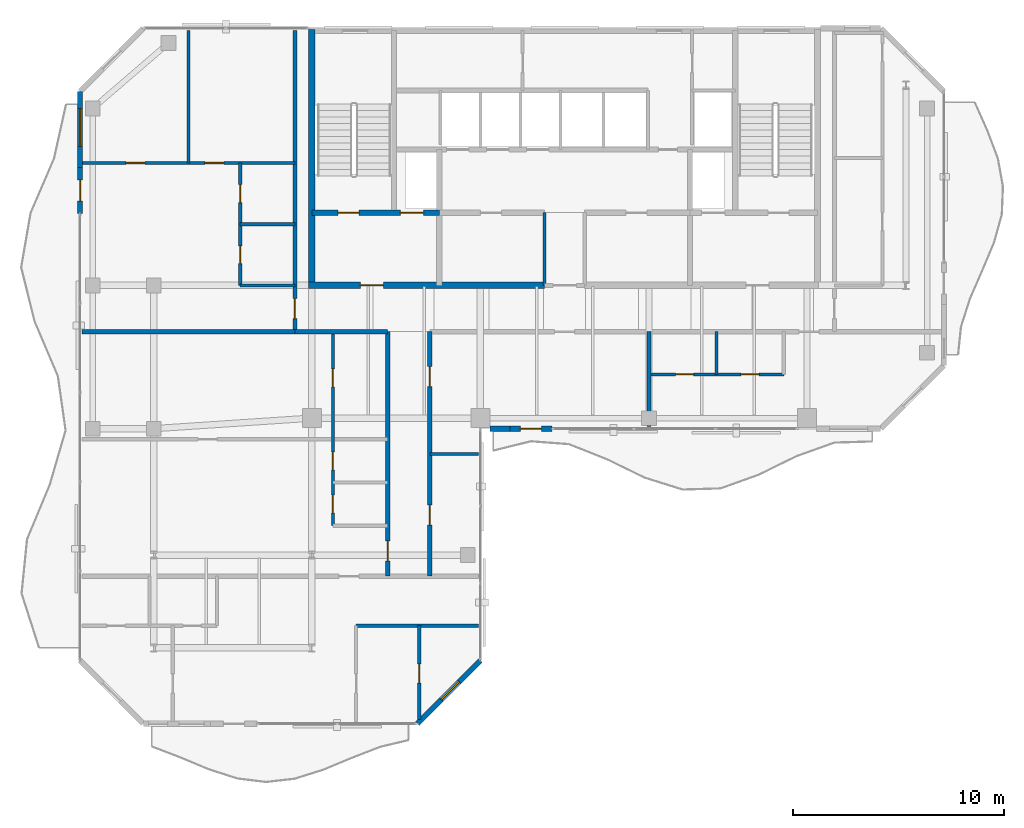
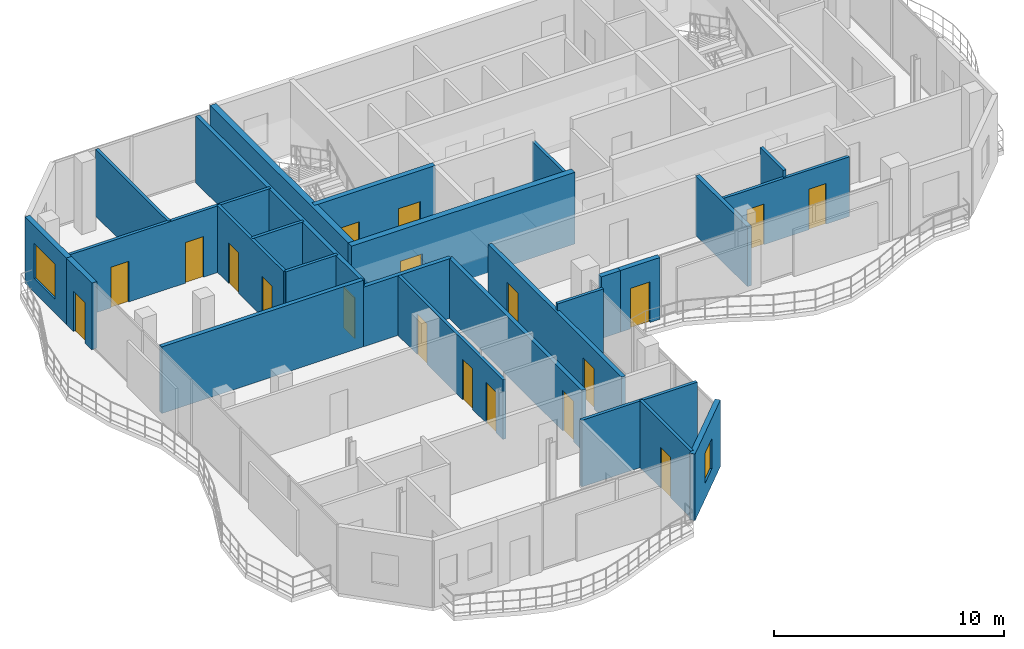
# One storey, part 18 of 22: 26 walls, 19 doors, 2 windows, 21 openings.
"""IFC4 building model written with IfcOpenShell, lengths in metres."""

from ifc_helpers import new_model, si_unit, direction, frame, frame_2d, origin, place, context, subcontext, project, spatial, rectangle, extrude, material, layer, layer_set, type_object, element, fill, save


model = new_model("IFC4")

# Units and contexts
model_context = context("Model", 3, precision=1e-05, world=origin(), true_north=direction((0.0, 1.0)))
body_context = subcontext(model_context, "Body", "Model", "MODEL_VIEW")
ifc_project = project(units=[si_unit("LENGTHUNIT", "METRE"), si_unit("AREAUNIT", "SQUARE_METRE"), si_unit("VOLUMEUNIT", "CUBIC_METRE"), si_unit("PLANEANGLEUNIT", "RADIAN"), si_unit("MASSUNIT", "GRAM", prefix="KILO")], contexts=[model_context])

# Site, building, storey
site_placement = place(None, origin())
site = spatial("IfcSite", under=ifc_project, at=site_placement, CompositionType="ELEMENT")
building_placement = place(site_placement, origin())
building = spatial("IfcBuilding", under=site, at=building_placement, Name="Catumbela Crestline Tower", CompositionType="ELEMENT")
storey_placement = place(building_placement, frame((0.0, 0.0, 260.2)))
storey = spatial("IfcBuildingStorey", under=building, at=storey_placement, Name="L67", CompositionType="ELEMENT", Elevation=260.2)

# Wall, openings, doors
ifc_material_1 = material(Name="Concrete C50/60", Category="concrete")
ifc_layer_1 = layer(ifc_material_1, 0.25, Name="Concrete C50/60")
ifc_layer_set_1 = layer_set([ifc_layer_1], Name="Concrete C50/60")
wall_type_1 = type_object("IfcWallType", Name="CW-250D", PredefinedType="SHEAR", material=ifc_layer_set_1)
wall_1_placement = place(storey_placement, frame((16.0, 34.25, 0.0), z_axis=(0.0, 0.0, 1.0), x_axis=(1.0, 0.0, 0.0)))
wall_1 = element("IfcWall", 1, at=wall_1_placement, inside=storey, type_object=wall_type_1, Name="L67 Structural Core Shear Wall ST1S", PredefinedType="SHEAR", context=body_context, shape_type="SweptSolid", body=[
    extrude(rectangle(XDim=6.05, YDim=0.25, at=frame_2d((3.025, 0.0))), origin(), (0.0, 0.0, 1.0), 3.8),
])
opening_1_placement = place(wall_1_placement, frame((1.25, 0.0, 0.0)))
opening_1 = element("IfcOpeningElement", 2, at=opening_1_placement, cuts=wall_1, Name="Opening DF9-100", PredefinedType="OPENING", context=body_context, shape_type="SweptSolid", body=[
    extrude(rectangle(XDim=1.0, YDim=2.15, at=frame_2d((0.5, 1.075))), frame((0.0, 0.135, 0.0), z_axis=(0.0, -1.0, 0.0), x_axis=(1.0, 0.0, 0.0)), (0.0, 0.0, 1.0), 0.27),
])
opening_2_placement = place(wall_1_placement, frame((4.2, 0.0, 0.0)))
opening_2 = element("IfcOpeningElement", 3, at=opening_2_placement, cuts=wall_1, Name="Opening LD-110", PredefinedType="OPENING", context=body_context, shape_type="SweptSolid", body=[
    extrude(rectangle(XDim=1.1, YDim=2.15, at=frame_2d((0.55, 1.075))), frame((0.0, 0.135, 0.0), z_axis=(0.0, -1.0, 0.0), x_axis=(1.0, 0.0, 0.0)), (0.0, 0.0, 1.0), 0.27),
])
ifc_material_2 = material(Name="Stainless steel EN 1.4401", Category="steel")
door_type_1 = type_object("IfcDoorType", Name="DF9-100", OperationType="NOTDEFINED", PredefinedType="DOOR", material=ifc_material_2)
door_1_placement = place(opening_1_placement, origin())
door_1 = element("IfcDoor", 4, at=door_1_placement, inside=storey, type_object=door_type_1, Name="L67 Interior Door DR-L67-ST01", OperationType="SINGLE_SWING_LEFT", OverallHeight=2.15, OverallWidth=1.0, PredefinedType="DOOR", context=body_context, shape_type="SweptSolid", body=[
    extrude(rectangle(XDim=1.0, YDim=2.15, at=frame_2d((0.5, 1.075))), frame((0.0, 0.025, 0.0), z_axis=(0.0, -1.0, 0.0), x_axis=(1.0, 0.0, 0.0)), (0.0, 0.0, 1.0), 0.05),
])
fill(opening_1, door_1)
door_type_2 = type_object("IfcDoorType", Name="LD-110", OperationType="NOTDEFINED", PredefinedType="DOOR", material=ifc_material_2)
door_2_placement = place(opening_2_placement, origin())
door_2 = element("IfcDoor", 5, at=door_2_placement, inside=storey, type_object=door_type_2, Name="L67 Lift Landing Sliding Door FL-01", OperationType="DOUBLE_DOOR_SLIDING", OverallHeight=2.15, OverallWidth=1.1, PredefinedType="DOOR", context=body_context, shape_type="SweptSolid", body=[
    extrude(rectangle(XDim=1.1, YDim=2.15, at=frame_2d((0.55, 1.075))), frame((0.0, 0.025, 0.0), z_axis=(0.0, -1.0, 0.0), x_axis=(1.0, 0.0, 0.0)), (0.0, 0.0, 1.0), 0.05),
])
fill(opening_2, door_2)

# Wall
ifc_material_3 = material(Name="Concrete C45/55", Category="concrete")
ifc_layer_2 = layer(ifc_material_3, 0.3, Name="Concrete C45/55")
ifc_layer_set_2 = layer_set([ifc_layer_2], Name="Concrete C45/55")
wall_type_2 = type_object("IfcWallType", Name="CW-300C", PredefinedType="SHEAR", material=ifc_layer_set_2)
wall_2_placement = place(storey_placement, frame((16.0, 30.65, 0.0), z_axis=(0.0, 0.0, 1.0), x_axis=(0.0, 1.0, 0.0)))
element("IfcWall", 6, at=wall_2_placement, inside=storey, type_object=wall_type_2, Name="L67 Structural Core Shear Wall W", PredefinedType="SHEAR", context=body_context, shape_type="SweptSolid", body=[
    extrude(rectangle(XDim=12.3, YDim=0.3, at=frame_2d((6.15, 0.0))), origin(), (0.0, 0.0, 1.0), 3.8),
])

# Wall, opening, door
wall_3_placement = place(storey_placement, frame((15.85, 30.8, 0.0), z_axis=(0.0, 0.0, 1.0), x_axis=(1.0, 0.0, 0.0)))
wall_3 = element("IfcWall", 7, at=wall_3_placement, inside=storey, type_object=wall_type_2, Name="L67 Structural Core Shear Wall SW", PredefinedType="SHEAR", context=body_context, shape_type="SweptSolid", body=[
    extrude(rectangle(XDim=11.2, YDim=0.3, at=frame_2d((5.6, 0.0))), origin(), (0.0, 0.0, 1.0), 3.8),
])
opening_3_placement = place(wall_3_placement, frame((2.45, 0.0, 0.0)))
opening_3 = element("IfcOpeningElement", 8, at=opening_3_placement, cuts=wall_3, Name="Opening DF9-110", PredefinedType="OPENING", context=body_context, shape_type="SweptSolid", body=[
    extrude(rectangle(XDim=1.1, YDim=2.15, at=frame_2d((0.55, 1.075))), frame((0.0, 0.16, 0.0), z_axis=(0.0, -1.0, 0.0), x_axis=(1.0, 0.0, 0.0)), (0.0, 0.0, 1.0), 0.32),
])
door_type_3 = type_object("IfcDoorType", Name="DF9-110", OperationType="NOTDEFINED", PredefinedType="DOOR", material=ifc_material_2)
door_3_placement = place(opening_3_placement, origin())
door_3 = element("IfcDoor", 9, at=door_3_placement, inside=storey, type_object=door_type_3, Name="L67 Interior Door DR-L67-FFW-S", OperationType="SINGLE_SWING_LEFT", OverallHeight=2.15, OverallWidth=1.1, PredefinedType="DOOR", context=body_context, shape_type="SweptSolid", body=[
    extrude(rectangle(XDim=1.1, YDim=2.15, at=frame_2d((0.55, 1.075))), frame((0.0, 0.025, 0.0), z_axis=(0.0, -1.0, 0.0), x_axis=(1.0, 0.0, 0.0)), (0.0, 0.0, 1.0), 0.05),
])
fill(opening_3, door_3)

# Wall
ifc_material_4 = material(Name="Acoustic gypsum and mineral-wool partition")
ifc_layer_3 = layer(ifc_material_4, 0.2, Name="Acoustic gypsum and mineral-wool partition")
ifc_layer_set_3 = layer_set([ifc_layer_3], Name="Acoustic gypsum and mineral-wool partition")
wall_type_3 = type_object("IfcWallType", Name="WC-200", PredefinedType="PARTITIONING", material=ifc_layer_set_3)
wall_4_placement = place(storey_placement, frame((15.2, 28.6, 0.0), z_axis=(0.0, 0.0, 1.0), x_axis=(1.0, 0.0, 0.0)))
element("IfcWall", 10, at=wall_4_placement, inside=storey, type_object=wall_type_3, Name="L67 Interior Partition PW-L67-RCWL", PredefinedType="PARTITIONING", context=body_context, shape_type="SweptSolid", body=[
    extrude(rectangle(XDim=4.4, YDim=0.2, at=frame_2d((2.2, 0.0))), origin(), (0.0, 0.0, 1.0), 3.16),
])

# Wall, opening, door
wall_5_placement = place(storey_placement, frame((15.2, 28.6, 0.0), z_axis=(0.0, 0.0, 1.0), x_axis=(0.0, 1.0, 0.0)))
wall_5 = element("IfcWall", 11, at=wall_5_placement, inside=storey, type_object=wall_type_3, Name="L67 Interior Partition PW-L67-NW1-ENT", PredefinedType="PARTITIONING", context=body_context, shape_type="SweptSolid", body=[
    extrude(rectangle(XDim=14.3, YDim=0.2, at=frame_2d((7.15, 0.0))), origin(), (0.0, 0.0, 1.0), 3.53),
])
opening_4_placement = place(wall_5_placement, frame((0.625, 0.0, 0.0)))
opening_4 = element("IfcOpeningElement", 12, at=opening_4_placement, cuts=wall_5, Name="Opening DF6-095", PredefinedType="OPENING", context=body_context, shape_type="SweptSolid", body=[
    extrude(rectangle(XDim=0.95, YDim=2.15, at=frame_2d((0.475, 1.075))), frame((0.0, 0.11, 0.0), z_axis=(0.0, -1.0, 0.0), x_axis=(1.0, 0.0, 0.0)), (0.0, 0.0, 1.0), 0.22),
])
ifc_material_5 = material(Name="Aluminium alloy AW-6060-T66", Category="aluminium")
door_type_4 = type_object("IfcDoorType", Name="DF6-095", OperationType="NOTDEFINED", PredefinedType="DOOR", material=ifc_material_5)
door_4_placement = place(opening_4_placement, origin())
door_4 = element("IfcDoor", 13, at=door_4_placement, inside=storey, type_object=door_type_4, Name="L67 Interior Door DR-L67-NW1-ENT", OperationType="SINGLE_SWING_LEFT", OverallHeight=2.15, OverallWidth=0.95, PredefinedType="DOOR", context=body_context, shape_type="SweptSolid", body=[
    extrude(rectangle(XDim=0.95, YDim=2.15, at=frame_2d((0.475, 1.075))), frame((0.0, 0.025, 0.0), z_axis=(0.0, -1.0, 0.0), x_axis=(1.0, 0.0, 0.0)), (0.0, 0.0, 1.0), 0.05),
])
fill(opening_4, door_4)

wall_6_placement = place(storey_placement, frame((19.6, 17.0, 0.0), z_axis=(0.0, 0.0, 1.0), x_axis=(0.0, 1.0, 0.0)))
wall_6 = element("IfcWall", 14, at=wall_6_placement, inside=storey, type_object=wall_type_3, Name="L67 Interior Partition PW-L67-WL1-ENT", PredefinedType="PARTITIONING", context=body_context, shape_type="SweptSolid", body=[
    extrude(rectangle(XDim=11.6, YDim=0.2, at=frame_2d((5.8, 0.0))), origin(), (0.0, 0.0, 1.0), 3.16),
])
opening_5_placement = place(wall_6_placement, frame((0.723, 0.0, 0.0)))
opening_5 = element("IfcOpeningElement", 15, at=opening_5_placement, cuts=wall_6, Name="Opening DF6-095", PredefinedType="OPENING", context=body_context, shape_type="SweptSolid", body=[
    extrude(rectangle(XDim=0.95, YDim=2.15, at=frame_2d((0.475, 1.075))), frame((0.0, 0.11, 0.0), z_axis=(0.0, -1.0, 0.0), x_axis=(1.0, 0.0, 0.0)), (0.0, 0.0, 1.0), 0.22),
])
door_5_placement = place(opening_5_placement, origin())
door_5 = element("IfcDoor", 16, at=door_5_placement, inside=storey, type_object=door_type_4, Name="L67 Interior Door DR-L67-WL1-ENT", OperationType="SINGLE_SWING_LEFT", OverallHeight=2.15, OverallWidth=0.95, PredefinedType="DOOR", context=body_context, shape_type="SweptSolid", body=[
    extrude(rectangle(XDim=0.95, YDim=2.15, at=frame_2d((0.475, 1.075))), frame((0.0, 0.025, 0.0), z_axis=(0.0, -1.0, 0.0), x_axis=(1.0, 0.0, 0.0)), (0.0, 0.0, 1.0), 0.05),
])
fill(opening_5, door_5)

# Wall, openings, doors
wall_7_placement = place(storey_placement, frame((21.6, 17.0, 0.0), z_axis=(0.0, 0.0, 1.0), x_axis=(0.0, 1.0, 0.0)))
wall_7 = element("IfcWall", 17, at=wall_7_placement, inside=storey, type_object=wall_type_3, Name="L67 Interior Partition PW-L67-RWMT-ENT", PredefinedType="PARTITIONING", context=body_context, shape_type="SweptSolid", body=[
    extrude(rectangle(XDim=11.6, YDim=0.2, at=frame_2d((5.8, 0.0))), origin(), (0.0, 0.0, 1.0), 3.16),
])
opening_6_placement = place(wall_7_placement, frame((8.9941, 0.0, 0.0)))
opening_6 = element("IfcOpeningElement", 18, at=opening_6_placement, cuts=wall_7, Name="Opening DF6-095", PredefinedType="OPENING", context=body_context, shape_type="SweptSolid", body=[
    extrude(rectangle(XDim=0.95, YDim=2.15, at=frame_2d((0.475, 1.075))), frame((0.0, 0.11, 0.0), z_axis=(0.0, -1.0, 0.0), x_axis=(1.0, 0.0, 0.0)), (0.0, 0.0, 1.0), 0.22),
])
opening_7_placement = place(wall_7_placement, frame((2.425, 0.0, 0.0)))
opening_7 = element("IfcOpeningElement", 19, at=opening_7_placement, cuts=wall_7, Name="Opening DF6-095", PredefinedType="OPENING", context=body_context, shape_type="SweptSolid", body=[
    extrude(rectangle(XDim=0.95, YDim=2.15, at=frame_2d((0.475, 1.075))), frame((0.0, 0.11, 0.0), z_axis=(0.0, -1.0, 0.0), x_axis=(1.0, 0.0, 0.0)), (0.0, 0.0, 1.0), 0.22),
])
door_6_placement = place(opening_6_placement, origin())
door_6 = element("IfcDoor", 20, at=door_6_placement, inside=storey, type_object=door_type_4, Name="L67 Interior Door DR-L67-RWMT-ENT", OperationType="SINGLE_SWING_LEFT", OverallHeight=2.15, OverallWidth=0.95, PredefinedType="DOOR", context=body_context, shape_type="SweptSolid", body=[
    extrude(rectangle(XDim=0.95, YDim=2.15, at=frame_2d((0.475, 1.075))), frame((0.0, 0.025, 0.0), z_axis=(0.0, -1.0, 0.0), x_axis=(1.0, 0.0, 0.0)), (0.0, 0.0, 1.0), 0.05),
])
fill(opening_6, door_6)
door_7_placement = place(opening_7_placement, origin())
door_7 = element("IfcDoor", 21, at=door_7_placement, inside=storey, type_object=door_type_4, Name="L67 Interior Door DR-L67-RWLN-ENT", OperationType="SINGLE_SWING_RIGHT", OverallHeight=2.15, OverallWidth=0.95, PredefinedType="DOOR", context=body_context, shape_type="SweptSolid", body=[
    extrude(rectangle(XDim=0.95, YDim=2.15, at=frame_2d((0.475, 1.075))), frame((0.0, 0.025, 0.0), z_axis=(0.0, -1.0, 0.0), x_axis=(1.0, 0.0, 0.0)), (0.0, 0.0, 1.0), 0.05),
])
fill(opening_7, door_7)

# Wall, opening, window
ifc_material_6 = material(Name="Angolan grey-ochre granite", Category="masonry")
ifc_layer_4 = layer(ifc_material_6, 0.25, Name="Angolan grey-ochre granite")
ifc_layer_set_4 = layer_set([ifc_layer_4], Name="Angolan grey-ochre granite")
wall_type_4 = type_object("IfcWallType", Name="WE-250", PredefinedType="STANDARD", material=ifc_layer_set_4)
wall_8_placement = place(storey_placement, frame((21.0, 10.0, 0.0), z_axis=(0.0, 0.0, 1.0), x_axis=(0.707106781187, 0.707106781187, 0.0)))
wall_8 = element("IfcWall", 22, at=wall_8_placement, inside=storey, type_object=wall_type_4, Name="L67 Granite Punched Window Wall 1-1", PredefinedType="STANDARD", context=body_context, shape_type="SweptSolid", body=[
    extrude(rectangle(XDim=4.2426, YDim=0.25, at=frame_2d((2.1213, 0.0))), origin(), (0.0, 0.0, 1.0), 3.53),
])
opening_8_placement = place(wall_8_placement, frame((1.6173, 0.0, 0.85)))
opening_8 = element("IfcOpeningElement", 23, at=opening_8_placement, cuts=wall_8, Name="Opening WN-02", PredefinedType="OPENING", context=body_context, shape_type="SweptSolid", body=[
    extrude(rectangle(XDim=1.2, YDim=1.6, at=frame_2d((0.6, 0.8))), frame((0.0, 0.135, 0.0), z_axis=(0.0, -1.0, 0.0), x_axis=(1.0, 0.0, 0.0)), (0.0, 0.0, 1.0), 0.27),
])
ifc_material_7 = material(Name="Low-E laminated solar-control double glazing", Category="glass")
window_type_1 = type_object("IfcWindowType", Name="WO-1200", PartitioningType="SINGLE_PANEL", PredefinedType="WINDOW", material=ifc_material_7)
window_1_placement = place(opening_8_placement, origin())
window_1 = element("IfcWindow", 24, at=window_1_placement, inside=storey, type_object=window_type_1, Name="L67 Facade Vision Window 520", OverallHeight=1.6, OverallWidth=1.2, PartitioningType="SINGLE_PANEL", PredefinedType="WINDOW", context=body_context, shape_type="SweptSolid", body=[
    extrude(rectangle(XDim=1.2, YDim=1.6, at=frame_2d((0.6, 0.8))), frame((0.0, 0.03, 0.0), z_axis=(0.0, -1.0, 0.0), x_axis=(1.0, 0.0, 0.0)), (0.0, 0.0, 1.0), 0.06),
])
fill(opening_8, window_1)

# Wall, opening, door
wall_9_placement = place(storey_placement, frame((25.4, 24.0, 0.0), z_axis=(0.0, 0.0, 1.0), x_axis=(1.0, 0.0, 0.0)))
wall_9 = element("IfcWall", 25, at=wall_9_placement, inside=storey, type_object=wall_type_4, Name="L67 Exterior Threshold Portal Wall DR-L67-WBAL-1", PredefinedType="STANDARD", context=body_context, shape_type="SweptSolid", body=[
    extrude(rectangle(XDim=2.0, YDim=0.25, at=frame_2d((1.0, 0.0))), origin(), (0.0, 0.0, 1.0), 3.27),
])
opening_9_placement = place(wall_9_placement, frame((0.5, 0.0, 0.0)))
opening_9 = element("IfcOpeningElement", 26, at=opening_9_placement, cuts=wall_9, Name="Opening DB-L67-1", PredefinedType="OPENING", context=body_context, shape_type="SweptSolid", body=[
    extrude(rectangle(XDim=1.0, YDim=2.15, at=frame_2d((0.5, 1.075))), frame((0.0, 0.135, 0.0), z_axis=(0.0, -1.0, 0.0), x_axis=(1.0, 0.0, 0.0)), (0.0, 0.0, 1.0), 0.27),
])
door_type_5 = type_object("IfcDoorType", Name="DB-1000", OperationType="NOTDEFINED", PredefinedType="DOOR", material=ifc_material_5)
door_8_placement = place(opening_9_placement, origin())
door_8 = element("IfcDoor", 27, at=door_8_placement, inside=storey, type_object=door_type_5, Name="L67 Wave Balcony Terrace Door 1", OperationType="SINGLE_SWING_LEFT", OverallHeight=2.15, OverallWidth=1.0, PredefinedType="DOOR", context=body_context, shape_type="SweptSolid", body=[
    extrude(rectangle(XDim=1.0, YDim=2.15, at=frame_2d((0.5, 1.075))), frame((0.0, 0.025, 0.0), z_axis=(0.0, -1.0, 0.0), x_axis=(1.0, 0.0, 0.0)), (0.0, 0.0, 1.0), 0.05),
])
fill(opening_9, door_8)

# Wall
wall_10_placement = place(storey_placement, frame((24.45, 24.0, 0.0), z_axis=(0.0, 0.0, 1.0), x_axis=(1.0, 0.0, 0.0)))
element("IfcWall", 28, at=wall_10_placement, inside=storey, type_object=wall_type_4, Name="L67 Granite Punched Window Wall 3-1", PredefinedType="STANDARD", context=body_context, shape_type="SweptSolid", body=[
    extrude(rectangle(XDim=0.95, YDim=0.25, at=frame_2d((0.475, 0.0))), origin(), (0.0, 0.0, 1.0), 3.27),
])

# Wall, opening, door
wall_11_placement = place(storey_placement, frame((5.0, 36.4, 0.0), z_axis=(0.0, 0.0, 1.0), x_axis=(0.0, -1.0, 0.0)))
wall_11 = element("IfcWall", 29, at=wall_11_placement, inside=storey, type_object=wall_type_4, Name="L67 Exterior Threshold Portal Wall DR-L67-WBAL-4", PredefinedType="STANDARD", context=body_context, shape_type="SweptSolid", body=[
    extrude(rectangle(XDim=2.2, YDim=0.25, at=frame_2d((1.1, 0.0))), origin(), (0.0, 0.0, 1.0), 3.53),
])
opening_10_placement = place(wall_11_placement, frame((0.6, 0.0, 0.0)))
opening_10 = element("IfcOpeningElement", 30, at=opening_10_placement, cuts=wall_11, Name="Opening DB-L67-4", PredefinedType="OPENING", context=body_context, shape_type="SweptSolid", body=[
    extrude(rectangle(XDim=1.0, YDim=2.15, at=frame_2d((0.5, 1.075))), frame((0.0, 0.135, 0.0), z_axis=(0.0, -1.0, 0.0), x_axis=(1.0, 0.0, 0.0)), (0.0, 0.0, 1.0), 0.27),
])
door_9_placement = place(opening_10_placement, origin())
door_9 = element("IfcDoor", 31, at=door_9_placement, inside=storey, type_object=door_type_5, Name="L67 Wave Balcony Terrace Door 4", OperationType="SINGLE_SWING_RIGHT", OverallHeight=2.15, OverallWidth=1.0, PredefinedType="DOOR", context=body_context, shape_type="SweptSolid", body=[
    extrude(rectangle(XDim=1.0, YDim=2.15, at=frame_2d((0.5, 1.075))), frame((0.0, 0.025, 0.0), z_axis=(0.0, -1.0, 0.0), x_axis=(1.0, 0.0, 0.0)), (0.0, 0.0, 1.0), 0.05),
])
fill(opening_10, door_9)

# Wall, opening, window
wall_12_placement = place(storey_placement, frame((5.0, 40.0, 0.0), z_axis=(0.0, 0.0, 1.0), x_axis=(0.0, -1.0, 0.0)))
wall_12 = element("IfcWall", 32, at=wall_12_placement, inside=storey, type_object=wall_type_4, Name="L67 Granite Punched Window Wall 9-1", PredefinedType="STANDARD", context=body_context, shape_type="SweptSolid", body=[
    extrude(rectangle(XDim=3.6, YDim=0.25, at=frame_2d((1.8, 0.0))), origin(), (0.0, 0.0, 1.0), 3.53),
])
opening_11_placement = place(wall_12_placement, frame((0.806, 0.0, 0.75)))
opening_11 = element("IfcOpeningElement", 33, at=opening_11_placement, cuts=wall_12, Name="Opening WN-01", PredefinedType="OPENING", context=body_context, shape_type="SweptSolid", body=[
    extrude(rectangle(XDim=1.8, YDim=1.85, at=frame_2d((0.9, 0.925))), frame((0.0, 0.135, 0.0), z_axis=(0.0, -1.0, 0.0), x_axis=(1.0, 0.0, 0.0)), (0.0, 0.0, 1.0), 0.27),
])
window_type_2 = type_object("IfcWindowType", Name="WF-1800", PartitioningType="SINGLE_PANEL", PredefinedType="WINDOW", material=ifc_material_7)
window_2_placement = place(opening_11_placement, origin())
window_2 = element("IfcWindow", 34, at=window_2_placement, inside=storey, type_object=window_type_2, Name="L67 Facade Vision Window 527", OverallHeight=1.85, OverallWidth=1.8, PartitioningType="SINGLE_PANEL", PredefinedType="WINDOW", context=body_context, shape_type="SweptSolid", body=[
    extrude(rectangle(XDim=1.8, YDim=1.85, at=frame_2d((0.9, 0.925))), frame((0.0, 0.03, 0.0), z_axis=(0.0, -1.0, 0.0), x_axis=(1.0, 0.0, 0.0)), (0.0, 0.0, 1.0), 0.06),
])
fill(opening_11, window_2)

# Walls
ifc_layer_5 = layer(ifc_material_4, 0.15, Name="Acoustic gypsum and mineral-wool partition")
ifc_layer_set_5 = layer_set([ifc_layer_5], Name="Acoustic gypsum and mineral-wool partition")
wall_type_5 = type_object("IfcWallType", Name="WP-150", PredefinedType="PARTITIONING", material=ifc_layer_set_5)
for number, where, z_axis, x_axis, name in (
    (35, (12.6, 30.8, 0.0), (0.0, 0.0, 1.0), (1.0, 0.0, 0.0), "L67 Interior Partition PW-L67-NW1-KBS"),
    (36, (12.6, 33.704, 0.0), (0.0, 0.0, 1.0), (1.0, 0.0, 0.0), "L67 Interior Partition PW-L67-NW1-KBM"),
):
    element("IfcWall", number, at=place(storey_placement, frame(where, z_axis=z_axis, x_axis=x_axis)), inside=storey, type_object=wall_type_5, Name=name, PredefinedType="PARTITIONING", context=body_context, shape_type="SweptSolid", body=[
        extrude(rectangle(XDim=2.6, YDim=0.15, at=frame_2d((1.3, 0.0))), origin(), (0.0, 0.0, 1.0), 3.53),
    ])

# Wall, openings, doors
wall_13_placement = place(storey_placement, frame((5.1, 36.608, 0.0), z_axis=(0.0, 0.0, 1.0), x_axis=(1.0, 0.0, 0.0)))
wall_13 = element("IfcWall", 37, at=wall_13_placement, inside=storey, type_object=wall_type_5, Name="L67 Interior Partition PW-L67-NW1-KBN", PredefinedType="PARTITIONING", context=body_context, shape_type="SweptSolid", body=[
    extrude(rectangle(XDim=10.1, YDim=0.15, at=frame_2d((5.05, 0.0))), origin(), (0.0, 0.0, 1.0), 3.53),
])
opening_12_placement = place(wall_13_placement, frame((2.075, 0.0, 0.0)))
opening_12 = element("IfcOpeningElement", 38, at=opening_12_placement, cuts=wall_13, Name="Opening DI-090", PredefinedType="OPENING", context=body_context, shape_type="SweptSolid", body=[
    extrude(rectangle(XDim=0.9, YDim=2.15, at=frame_2d((0.45, 1.075))), frame((0.0, 0.085, 0.0), z_axis=(0.0, -1.0, 0.0), x_axis=(1.0, 0.0, 0.0)), (0.0, 0.0, 1.0), 0.17),
])
opening_13_placement = place(wall_13_placement, frame((5.825, 0.0, 0.0)))
opening_13 = element("IfcOpeningElement", 39, at=opening_13_placement, cuts=wall_13, Name="Opening DI-090", PredefinedType="OPENING", context=body_context, shape_type="SweptSolid", body=[
    extrude(rectangle(XDim=0.9, YDim=2.15, at=frame_2d((0.45, 1.075))), frame((0.0, 0.085, 0.0), z_axis=(0.0, -1.0, 0.0), x_axis=(1.0, 0.0, 0.0)), (0.0, 0.0, 1.0), 0.17),
])
door_type_6 = type_object("IfcDoorType", Name="DI-090", OperationType="NOTDEFINED", PredefinedType="DOOR", material=ifc_material_5)
door_10_placement = place(opening_12_placement, origin())
door_10 = element("IfcDoor", 40, at=door_10_placement, inside=storey, type_object=door_type_6, Name="L67 Interior Door DR-L67-NW1-BD1", OperationType="SINGLE_SWING_LEFT", OverallHeight=2.15, OverallWidth=0.9, PredefinedType="DOOR", context=body_context, shape_type="SweptSolid", body=[
    extrude(rectangle(XDim=0.9, YDim=2.15, at=frame_2d((0.45, 1.075))), frame((0.0, 0.025, 0.0), z_axis=(0.0, -1.0, 0.0), x_axis=(1.0, 0.0, 0.0)), (0.0, 0.0, 1.0), 0.05),
])
fill(opening_12, door_10)
door_11_placement = place(opening_13_placement, origin())
door_11 = element("IfcDoor", 41, at=door_11_placement, inside=storey, type_object=door_type_6, Name="L67 Interior Door DR-L67-NW1-BD2", OperationType="SINGLE_SWING_RIGHT", OverallHeight=2.15, OverallWidth=0.9, PredefinedType="DOOR", context=body_context, shape_type="SweptSolid", body=[
    extrude(rectangle(XDim=0.9, YDim=2.15, at=frame_2d((0.45, 1.075))), frame((0.0, 0.025, 0.0), z_axis=(0.0, -1.0, 0.0), x_axis=(1.0, 0.0, 0.0)), (0.0, 0.0, 1.0), 0.05),
])
fill(opening_13, door_11)

wall_14_placement = place(storey_placement, frame((12.6, 30.8, 0.0), z_axis=(0.0, 0.0, 1.0), x_axis=(0.0, 1.0, 0.0)))
wall_14 = element("IfcWall", 42, at=wall_14_placement, inside=storey, type_object=wall_type_5, Name="L67 Interior Partition PW-L67-NW1-LK", PredefinedType="PARTITIONING", context=body_context, shape_type="SweptSolid", body=[
    extrude(rectangle(XDim=5.808, YDim=0.15, at=frame_2d((2.904, 0.0))), origin(), (0.0, 0.0, 1.0), 3.53),
])
opening_14_placement = place(wall_14_placement, frame((1.027, 0.0, 0.0)))
opening_14 = element("IfcOpeningElement", 43, at=opening_14_placement, cuts=wall_14, Name="Opening DI-085", PredefinedType="OPENING", context=body_context, shape_type="SweptSolid", body=[
    extrude(rectangle(XDim=0.85, YDim=2.15, at=frame_2d((0.425, 1.075))), frame((0.0, 0.085, 0.0), z_axis=(0.0, -1.0, 0.0), x_axis=(1.0, 0.0, 0.0)), (0.0, 0.0, 1.0), 0.17),
])
opening_15_placement = place(wall_14_placement, frame((3.931, 0.0, 0.0)))
opening_15 = element("IfcOpeningElement", 44, at=opening_15_placement, cuts=wall_14, Name="Opening DI-085", PredefinedType="OPENING", context=body_context, shape_type="SweptSolid", body=[
    extrude(rectangle(XDim=0.85, YDim=2.15, at=frame_2d((0.425, 1.075))), frame((0.0, 0.085, 0.0), z_axis=(0.0, -1.0, 0.0), x_axis=(1.0, 0.0, 0.0)), (0.0, 0.0, 1.0), 0.17),
])
door_type_7 = type_object("IfcDoorType", Name="DI-085", OperationType="NOTDEFINED", PredefinedType="DOOR", material=ifc_material_5)
door_12_placement = place(opening_14_placement, origin())
door_12 = element("IfcDoor", 45, at=door_12_placement, inside=storey, type_object=door_type_7, Name="L67 Interior Door DR-L67-NW1-KIT", OperationType="SINGLE_SWING_LEFT", OverallHeight=2.15, OverallWidth=0.85, PredefinedType="DOOR", context=body_context, shape_type="SweptSolid", body=[
    extrude(rectangle(XDim=0.85, YDim=2.15, at=frame_2d((0.425, 1.075))), frame((0.0, 0.025, 0.0), z_axis=(0.0, -1.0, 0.0), x_axis=(1.0, 0.0, 0.0)), (0.0, 0.0, 1.0), 0.05),
])
fill(opening_14, door_12)
door_13_placement = place(opening_15_placement, origin())
door_13 = element("IfcDoor", 46, at=door_13_placement, inside=storey, type_object=door_type_7, Name="L67 Interior Door DR-L67-NW1-BTH", OperationType="SINGLE_SWING_RIGHT", OverallHeight=2.15, OverallWidth=0.85, PredefinedType="DOOR", context=body_context, shape_type="SweptSolid", body=[
    extrude(rectangle(XDim=0.85, YDim=2.15, at=frame_2d((0.425, 1.075))), frame((0.0, 0.025, 0.0), z_axis=(0.0, -1.0, 0.0), x_axis=(1.0, 0.0, 0.0)), (0.0, 0.0, 1.0), 0.05),
])
fill(opening_15, door_13)

# Walls
wall_15_placement = place(storey_placement, frame((10.15, 36.608, 0.0), z_axis=(0.0, 0.0, 1.0), x_axis=(0.0, 1.0, 0.0)))
element("IfcWall", 47, at=wall_15_placement, inside=storey, type_object=wall_type_5, Name="L67 Interior Partition PW-L67-NW1-BDP", PredefinedType="PARTITIONING", context=body_context, shape_type="SweptSolid", body=[
    extrude(rectangle(XDim=6.292, YDim=0.15, at=frame_2d((3.146, 0.0))), origin(), (0.0, 0.0, 1.0), 3.53),
])
wall_16_placement = place(storey_placement, frame((35.2, 26.576, 0.0), z_axis=(0.0, 0.0, 1.0), x_axis=(0.0, 1.0, 0.0)))
element("IfcWall", 48, at=wall_16_placement, inside=storey, type_object=wall_type_5, Name="L67 Interior Partition PW-L67-S2-KBM", PredefinedType="PARTITIONING", context=body_context, shape_type="SweptSolid", body=[
    extrude(rectangle(XDim=2.024, YDim=0.15, at=frame_2d((1.012, 0.0))), origin(), (0.0, 0.0, 1.0), 3.53),
])

# Wall, openings, doors
wall_17_placement = place(storey_placement, frame((32.0, 26.576, 0.0), z_axis=(0.0, 0.0, 1.0), x_axis=(1.0, 0.0, 0.0)))
wall_17 = element("IfcWall", 49, at=wall_17_placement, inside=storey, type_object=wall_type_5, Name="L67 Interior Partition PW-L67-S2-KBD1", PredefinedType="PARTITIONING", context=body_context, shape_type="SweptSolid", body=[
    extrude(rectangle(XDim=6.4, YDim=0.15, at=frame_2d((3.2, 0.0))), origin(), (0.0, 0.0, 1.0), 3.16),
])
opening_16_placement = place(wall_17_placement, frame((1.2663, 0.0, 0.0)))
opening_16 = element("IfcOpeningElement", 50, at=opening_16_placement, cuts=wall_17, Name="Opening DI-085", PredefinedType="OPENING", context=body_context, shape_type="SweptSolid", body=[
    extrude(rectangle(XDim=0.85, YDim=2.15, at=frame_2d((0.425, 1.075))), frame((0.0, 0.085, 0.0), z_axis=(0.0, -1.0, 0.0), x_axis=(1.0, 0.0, 0.0)), (0.0, 0.0, 1.0), 0.17),
])
opening_17_placement = place(wall_17_placement, frame((4.375, 0.0, 0.0)))
opening_17 = element("IfcOpeningElement", 51, at=opening_17_placement, cuts=wall_17, Name="Opening DI-085", PredefinedType="OPENING", context=body_context, shape_type="SweptSolid", body=[
    extrude(rectangle(XDim=0.85, YDim=2.15, at=frame_2d((0.425, 1.075))), frame((0.0, 0.085, 0.0), z_axis=(0.0, -1.0, 0.0), x_axis=(1.0, 0.0, 0.0)), (0.0, 0.0, 1.0), 0.17),
])
door_14_placement = place(opening_16_placement, origin())
door_14 = element("IfcDoor", 52, at=door_14_placement, inside=storey, type_object=door_type_7, Name="L67 Interior Door DR-L67-S2-KIT", OperationType="SINGLE_SWING_LEFT", OverallHeight=2.15, OverallWidth=0.85, PredefinedType="DOOR", context=body_context, shape_type="SweptSolid", body=[
    extrude(rectangle(XDim=0.85, YDim=2.15, at=frame_2d((0.425, 1.075))), frame((0.0, 0.025, 0.0), z_axis=(0.0, -1.0, 0.0), x_axis=(1.0, 0.0, 0.0)), (0.0, 0.0, 1.0), 0.05),
])
fill(opening_16, door_14)
door_15_placement = place(opening_17_placement, origin())
door_15 = element("IfcDoor", 53, at=door_15_placement, inside=storey, type_object=door_type_7, Name="L67 Interior Door DR-L67-S2-BTH", OperationType="SINGLE_SWING_RIGHT", OverallHeight=2.15, OverallWidth=0.85, PredefinedType="DOOR", context=body_context, shape_type="SweptSolid", body=[
    extrude(rectangle(XDim=0.85, YDim=2.15, at=frame_2d((0.425, 1.075))), frame((0.0, 0.025, 0.0), z_axis=(0.0, -1.0, 0.0), x_axis=(1.0, 0.0, 0.0)), (0.0, 0.0, 1.0), 0.05),
])
fill(opening_17, door_15)

wall_18_placement = place(storey_placement, frame((17.0, 19.396, 0.0), z_axis=(0.0, 0.0, 1.0), x_axis=(0.0, 1.0, 0.0)))
wall_18 = element("IfcWall", 54, at=wall_18_placement, inside=storey, type_object=wall_type_5, Name="L67 Interior Partition PW-L67-WL1-LK", PredefinedType="PARTITIONING", context=body_context, shape_type="SweptSolid", body=[
    extrude(rectangle(XDim=9.204, YDim=0.15, at=frame_2d((4.602, 0.0))), origin(), (0.0, 0.0, 1.0), 3.16),
])
opening_18_placement = place(wall_18_placement, frame((0.6, 0.0, 0.0)))
opening_18 = element("IfcOpeningElement", 55, at=opening_18_placement, cuts=wall_18, Name="Opening DI-085", PredefinedType="OPENING", context=body_context, shape_type="SweptSolid", body=[
    extrude(rectangle(XDim=0.85, YDim=2.15, at=frame_2d((0.425, 1.075))), frame((0.0, 0.085, 0.0), z_axis=(0.0, -1.0, 0.0), x_axis=(1.0, 0.0, 0.0)), (0.0, 0.0, 1.0), 0.17),
])
opening_19_placement = place(wall_18_placement, frame((2.65, 0.0, 0.0)))
opening_19 = element("IfcOpeningElement", 56, at=opening_19_placement, cuts=wall_18, Name="Opening DI-085", PredefinedType="OPENING", context=body_context, shape_type="SweptSolid", body=[
    extrude(rectangle(XDim=0.85, YDim=2.15, at=frame_2d((0.425, 1.075))), frame((0.0, 0.085, 0.0), z_axis=(0.0, -1.0, 0.0), x_axis=(1.0, 0.0, 0.0)), (0.0, 0.0, 1.0), 0.17),
])
opening_20_placement = place(wall_18_placement, frame((6.5927, 0.0, 0.0)))
opening_20 = element("IfcOpeningElement", 57, at=opening_20_placement, cuts=wall_18, Name="Opening DI-085", PredefinedType="OPENING", context=body_context, shape_type="SweptSolid", body=[
    extrude(rectangle(XDim=0.85, YDim=2.15, at=frame_2d((0.425, 1.075))), frame((0.0, 0.085, 0.0), z_axis=(0.0, -1.0, 0.0), x_axis=(1.0, 0.0, 0.0)), (0.0, 0.0, 1.0), 0.17),
])
door_16_placement = place(opening_18_placement, origin())
door_16 = element("IfcDoor", 58, at=door_16_placement, inside=storey, type_object=door_type_7, Name="L67 Interior Door DR-L67-WL1-KIT", OperationType="SINGLE_SWING_LEFT", OverallHeight=2.15, OverallWidth=0.85, PredefinedType="DOOR", context=body_context, shape_type="SweptSolid", body=[
    extrude(rectangle(XDim=0.85, YDim=2.15, at=frame_2d((0.425, 1.075))), frame((0.0, 0.025, 0.0), z_axis=(0.0, -1.0, 0.0), x_axis=(1.0, 0.0, 0.0)), (0.0, 0.0, 1.0), 0.05),
])
fill(opening_18, door_16)
door_17_placement = place(opening_19_placement, origin())
door_17 = element("IfcDoor", 59, at=door_17_placement, inside=storey, type_object=door_type_7, Name="L67 Interior Door DR-L67-WL1-BTH", OperationType="SINGLE_SWING_RIGHT", OverallHeight=2.15, OverallWidth=0.85, PredefinedType="DOOR", context=body_context, shape_type="SweptSolid", body=[
    extrude(rectangle(XDim=0.85, YDim=2.15, at=frame_2d((0.425, 1.075))), frame((0.0, 0.025, 0.0), z_axis=(0.0, -1.0, 0.0), x_axis=(1.0, 0.0, 0.0)), (0.0, 0.0, 1.0), 0.05),
])
fill(opening_19, door_17)
door_18_placement = place(opening_20_placement, origin())
door_18 = element("IfcDoor", 60, at=door_18_placement, inside=storey, type_object=door_type_7, Name="L67 Interior Door DR-L67-WL1-WIR", OperationType="SINGLE_SWING_LEFT", OverallHeight=2.15, OverallWidth=0.85, PredefinedType="DOOR", context=body_context, shape_type="SweptSolid", body=[
    extrude(rectangle(XDim=0.85, YDim=2.15, at=frame_2d((0.425, 1.075))), frame((0.0, 0.025, 0.0), z_axis=(0.0, -1.0, 0.0), x_axis=(1.0, 0.0, 0.0)), (0.0, 0.0, 1.0), 0.05),
])
fill(opening_20, door_18)

# Walls
wall_19_placement = place(storey_placement, frame((21.6, 22.8, 0.0), z_axis=(0.0, 0.0, 1.0), x_axis=(1.0, 0.0, 0.0)))
element("IfcWall", 61, at=wall_19_placement, inside=storey, type_object=wall_type_5, Name="L67 Interior Partition PW-L67-RWRP3", PredefinedType="PARTITIONING", context=body_context, shape_type="SweptSolid", body=[
    extrude(rectangle(XDim=2.3, YDim=0.15, at=frame_2d((1.15, 0.0))), origin(), (0.0, 0.0, 1.0), 3.53),
])
wall_20_placement = place(storey_placement, frame((18.1, 14.65, 0.0), z_axis=(0.0, 0.0, 1.0), x_axis=(1.0, 0.0, 0.0)))
element("IfcWall", 62, at=wall_20_placement, inside=storey, type_object=wall_type_5, Name="L67 Interior Partition PW-L67-SH1-BDRH", PredefinedType="PARTITIONING", context=body_context, shape_type="SweptSolid", body=[
    extrude(rectangle(XDim=5.8, YDim=0.15, at=frame_2d((2.9, 0.0))), origin(), (0.0, 0.0, 1.0), 3.53),
])

# Wall, opening, door
wall_21_placement = place(storey_placement, frame((21.1, 10.2, 0.0), z_axis=(0.0, 0.0, 1.0), x_axis=(0.0, 1.0, 0.0)))
wall_21 = element("IfcWall", 63, at=wall_21_placement, inside=storey, type_object=wall_type_5, Name="L67 Interior Partition PW-L67-SH1-BDR", PredefinedType="PARTITIONING", context=body_context, shape_type="SweptSolid", body=[
    extrude(rectangle(XDim=4.45, YDim=0.15, at=frame_2d((2.225, 0.0))), origin(), (0.0, 0.0, 1.0), 3.53),
])
opening_21_placement = place(wall_21_placement, frame((1.725, 0.0, 0.0)))
opening_21 = element("IfcOpeningElement", 64, at=opening_21_placement, cuts=wall_21, Name="Opening DI-090", PredefinedType="OPENING", context=body_context, shape_type="SweptSolid", body=[
    extrude(rectangle(XDim=0.9, YDim=2.15, at=frame_2d((0.45, 1.075))), frame((0.0, 0.085, 0.0), z_axis=(0.0, -1.0, 0.0), x_axis=(1.0, 0.0, 0.0)), (0.0, 0.0, 1.0), 0.17),
])
door_19_placement = place(opening_21_placement, origin())
door_19 = element("IfcDoor", 65, at=door_19_placement, inside=storey, type_object=door_type_6, Name="L67 Interior Door DR-L67-SH1-BD2", OperationType="SINGLE_SWING_RIGHT", OverallHeight=2.15, OverallWidth=0.9, PredefinedType="DOOR", context=body_context, shape_type="SweptSolid", body=[
    extrude(rectangle(XDim=0.9, YDim=2.15, at=frame_2d((0.45, 1.075))), frame((0.0, 0.025, 0.0), z_axis=(0.0, -1.0, 0.0), x_axis=(1.0, 0.0, 0.0)), (0.0, 0.0, 1.0), 0.05),
])
fill(opening_21, door_19)

# Walls
ifc_layer_6 = layer(ifc_material_4, 0.2, Name="Acoustic gypsum and mineral-wool partition")
ifc_layer_set_6 = layer_set([ifc_layer_6], Name="Acoustic gypsum and mineral-wool partition")
wall_type_6 = type_object("IfcWallType", Name="WY-200", PredefinedType="PARTITIONING", material=ifc_layer_set_6)
wall_22_placement = place(storey_placement, frame((5.1, 28.6, 0.0), z_axis=(0.0, 0.0, 1.0), x_axis=(1.0, 0.0, 0.0)))
element("IfcWall", 66, at=wall_22_placement, inside=storey, type_object=wall_type_6, Name="L67 Interior Partition PW-L67-RCWNW", PredefinedType="PARTITIONING", context=body_context, shape_type="SweptSolid", body=[
    extrude(rectangle(XDim=10.1, YDim=0.2, at=frame_2d((5.05, 0.0))), origin(), (0.0, 0.0, 1.0), 3.53),
])
wall_23_placement = place(storey_placement, frame((32.0, 24.1, 0.0), z_axis=(0.0, 0.0, 1.0), x_axis=(0.0, 1.0, 0.0)))
element("IfcWall", 67, at=wall_23_placement, inside=storey, type_object=wall_type_6, Name="L67 Interior Partition PW-L67-RSPP-2", PredefinedType="PARTITIONING", context=body_context, shape_type="SweptSolid", body=[
    extrude(rectangle(XDim=4.5, YDim=0.2, at=frame_2d((2.25, 0.0))), origin(), (0.0, 0.0, 1.0), 3.16),
])
ifc_layer_7 = layer(ifc_material_4, 0.15, Name="Acoustic gypsum and mineral-wool partition")
ifc_layer_set_7 = layer_set([ifc_layer_7], Name="Acoustic gypsum and mineral-wool partition")
wall_type_7 = type_object("IfcWallType", Name="WS-150", PredefinedType="PLUMBINGWALL", material=ifc_layer_set_7)
wall_24_placement = place(storey_placement, frame((27.05, 30.8, 0.0), z_axis=(0.0, 0.0, 1.0), x_axis=(0.0, 1.0, 0.0)))
element("IfcWall", 68, at=wall_24_placement, inside=storey, type_object=wall_type_7, Name="L67 Interior Partition PW-L67-THRW", PredefinedType="PLUMBINGWALL", context=body_context, shape_type="SweptSolid", body=[
    extrude(rectangle(XDim=3.45, YDim=0.15, at=frame_2d((1.725, 0.0))), origin(), (0.0, 0.0, 1.0), 3.28),
])

save(model, "model.ifc")
